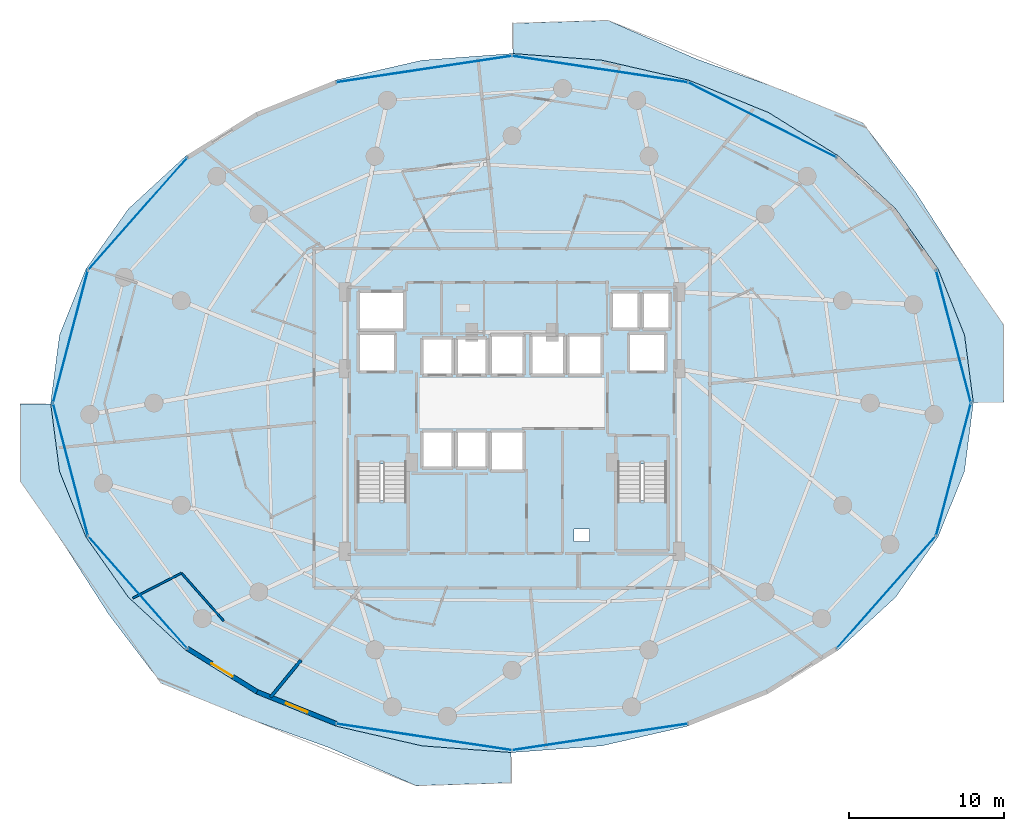
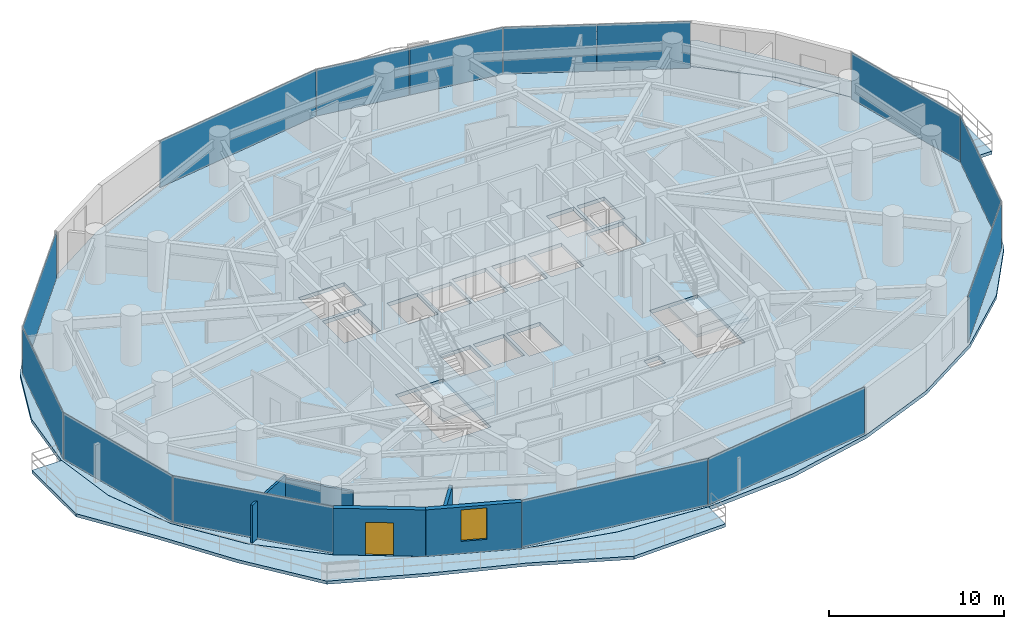
# One storey, part 22 of 30: 14 plates, 5 slabs, 5 walls, 1 door, 1 window, 2 openings, 6 elements without a shape of their own.
"""IFC4 building model written with IfcOpenShell, lengths in metres."""

from ifc_helpers import new_model, si_unit, direction, frame, frame_2d, origin, origin_2d, place, context, subcontext, project, spatial, polyline, rectangle, outline, extrude, material, layer, layer_set, type_object, element, fill, aggregate, save


model = new_model("IFC4")

# Units and contexts
model_context = context("Model", 3, precision=1e-05, world=origin(), true_north=direction((0.0, 1.0)))
body_context = subcontext(model_context, "Body", "Model", "MODEL_VIEW")
ifc_project = project(units=[si_unit("LENGTHUNIT", "METRE"), si_unit("AREAUNIT", "SQUARE_METRE"), si_unit("VOLUMEUNIT", "CUBIC_METRE"), si_unit("PLANEANGLEUNIT", "RADIAN"), si_unit("MASSUNIT", "GRAM", prefix="KILO")], contexts=[model_context])

# Site, building, storey
site_placement = place(None, origin())
site = spatial("IfcSite", under=ifc_project, at=site_placement, CompositionType="ELEMENT")
building_placement = place(site_placement, origin())
building = spatial("IfcBuilding", under=site, at=building_placement, Name="Vorneva Point Tower", CompositionType="ELEMENT")
storey_placement = place(building_placement, frame((0.0, 0.0, 55.5)))
storey = spatial("IfcBuildingStorey", under=building, at=storey_placement, Name="L14", CompositionType="ELEMENT", Elevation=55.5)

# Curtain wall, plates
ifc_material_1 = material(Name="Pale anodised aluminium", Category="aluminium")
curtain_wall_type = type_object("IfcCurtainWallType", Name="CW-HTL-SYS", PredefinedType="NOTDEFINED", material=ifc_material_1)
curtain_wall_1_placement = place(storey_placement, origin())
curtain_wall_1 = element("IfcCurtainWall", 1, at=curtain_wall_1_placement, inside=storey, type_object=curtain_wall_type, Name="L14 Unitised Curtain Wall CW-L14-R01", PredefinedType="NOTDEFINED")
ifc_material_2 = material(Name="Double low-e laminated glass IGU", Category="glass")
ifc_layer_1 = layer(ifc_material_2, 0.035888671875)
ifc_layer_set_1 = layer_set([ifc_layer_1], Name="Double low-e laminated glass IGU")
plate_type = type_object("IfcPlateType", Name="CW-PNL-VIS", PredefinedType="CURTAIN_PANEL", material=ifc_layer_set_1)
plate_1_placement = place(storey_placement, frame((62.097900390625, 13.821533203125, -0.02001953125), z_axis=(0.0, 0.0, 1.0), x_axis=(0.662070857019, 0.749441245386, 0.0)))
plate_1 = element("IfcPlate", 2, at=plate_1_placement, type_object=plate_type, Name="CW-L14-R01 Glazed Panel 01", PredefinedType="CURTAIN_PANEL", context=body_context, shape_type="SweptSolid", body=[
    extrude(rectangle(XDim=9.625, YDim=0.035888671875, at=origin_2d()), origin(), (0.0, 0.0, 1.0), 3.280029296875),
])
plate_2_placement = place(storey_placement, frame((66.42529296875, 21.723388671875, -0.02001953125), z_axis=(0.0, 0.0, 1.0), x_axis=(0.254348767449, 0.967112560407, 0.0)))
plate_2 = element("IfcPlate", 3, at=plate_2_placement, type_object=plate_type, Name="CW-L14-R01 Glazed Panel 02", PredefinedType="CURTAIN_PANEL", context=body_context, shape_type="SweptSolid", body=[
    extrude(rectangle(XDim=8.793701171875, YDim=0.035888671875, at=origin_2d()), origin(), (0.0, 0.0, 1.0), 3.280029296875),
])
plate_3_placement = place(storey_placement, frame((66.42529296875, 30.276611328125, -0.02001953125), z_axis=(0.0, 0.0, 1.0), x_axis=(-0.254348767449, 0.967112560407, 0.0)))
plate_3 = element("IfcPlate", 4, at=plate_3_placement, type_object=plate_type, Name="CW-L14-R01 Glazed Panel 03", PredefinedType="CURTAIN_PANEL", context=body_context, shape_type="SweptSolid", body=[
    extrude(rectangle(XDim=8.793701171875, YDim=0.035888671875, at=origin_2d()), origin(), (0.0, 0.0, 1.0), 3.280029296875),
])
aggregate(curtain_wall_1, [plate_1, plate_2, plate_3])

curtain_wall_2_placement = place(storey_placement, origin())
curtain_wall_2 = element("IfcCurtainWall", 5, at=curtain_wall_2_placement, inside=storey, type_object=curtain_wall_type, Name="L14 Unitised Curtain Wall CW-L14-R02", PredefinedType="NOTDEFINED")
plate_4_placement = place(storey_placement, frame((56.498291015625, 43.014892578125, -0.02001953125), z_axis=(0.0, 0.0, 1.0), x_axis=(-0.892499239729, 0.451048896554, 0.0)))
plate_4 = element("IfcPlate", 6, at=plate_4_placement, type_object=plate_type, Name="CW-L14-R02 Glazed Panel 01A", PredefinedType="CURTAIN_PANEL", context=body_context, shape_type="SweptSolid", body=[
    extrude(rectangle(XDim=5.32080078125, YDim=0.035888671875, at=origin_2d()), origin(), (0.0, 0.0, 1.0), 3.280029296875),
])
plate_5_placement = place(storey_placement, frame((51.705078125, 45.4375, -0.02001953125), z_axis=(0.0, 0.0, 1.0), x_axis=(-0.892499239729, 0.451048896554, 0.0)))
plate_5 = element("IfcPlate", 7, at=plate_5_placement, type_object=plate_type, Name="CW-L14-R02 Glazed Panel 01B", PredefinedType="CURTAIN_PANEL", context=body_context, shape_type="SweptSolid", body=[
    extrude(rectangle(XDim=5.32080078125, YDim=0.035888671875, at=origin_2d()), origin(), (0.0, 0.0, 1.0), 3.280029296875),
])
plate_6_placement = place(storey_placement, frame((46.481201171875, 47.073974609375, -0.02001953125), z_axis=(0.0, 0.0, 1.0), x_axis=(-0.988870924381, 0.148775989034, 0.0)))
plate_6 = element("IfcPlate", 8, at=plate_6_placement, type_object=plate_type, Name="CW-L14-R02 Glazed Panel 02A", PredefinedType="CURTAIN_PANEL", context=body_context, shape_type="SweptSolid", body=[
    extrude(rectangle(XDim=5.667724609375, YDim=0.035888671875, at=origin_2d()), origin(), (0.0, 0.0, 1.0), 3.280029296875),
])
plate_7_placement = place(storey_placement, frame((40.8271484375, 47.9248046875, -0.02001953125), z_axis=(0.0, 0.0, 1.0), x_axis=(-0.988870924381, 0.148775989034, 0.0)))
plate_7 = element("IfcPlate", 9, at=plate_7_placement, type_object=plate_type, Name="CW-L14-R02 Glazed Panel 02B", PredefinedType="CURTAIN_PANEL", context=body_context, shape_type="SweptSolid", body=[
    extrude(rectangle(XDim=5.667724609375, YDim=0.035888671875, at=origin_2d()), origin(), (0.0, 0.0, 1.0), 3.280029296875),
])
plate_8_placement = place(storey_placement, frame((32.345703125, 47.499267578125, -0.02001953125), z_axis=(0.0, 0.0, 1.0), x_axis=(-0.988870924381, -0.148775989034, 0.0)))
plate_8 = element("IfcPlate", 10, at=plate_8_placement, type_object=plate_type, Name="CW-L14-R02 Glazed Panel 03", PredefinedType="CURTAIN_PANEL", context=body_context, shape_type="SweptSolid", body=[
    extrude(rectangle(XDim=11.385498046875, YDim=0.035888671875, at=origin_2d()), origin(), (0.0, 0.0, 1.0), 3.280029296875),
])
aggregate(curtain_wall_2, [plate_4, plate_5, plate_6, plate_7, plate_8])

curtain_wall_3_placement = place(storey_placement, origin())
curtain_wall_3 = element("IfcCurtainWall", 11, at=curtain_wall_3_placement, inside=storey, type_object=curtain_wall_type, Name="L14 Unitised Curtain Wall CW-L14-R03", PredefinedType="NOTDEFINED")
plate_9_placement = place(storey_placement, frame((13.902099609375, 38.178466796875, -0.02001953125), z_axis=(0.0, 0.0, 1.0), x_axis=(-0.662070857019, -0.749441245386, 0.0)))
plate_9 = element("IfcPlate", 12, at=plate_9_placement, type_object=plate_type, Name="CW-L14-R03 Glazed Panel 01", PredefinedType="CURTAIN_PANEL", context=body_context, shape_type="SweptSolid", body=[
    extrude(rectangle(XDim=9.625, YDim=0.035888671875, at=origin_2d()), origin(), (0.0, 0.0, 1.0), 3.280029296875),
])
plate_10_placement = place(storey_placement, frame((9.57470703125, 30.276611328125, -0.02001953125), z_axis=(0.0, 0.0, 1.0), x_axis=(-0.254348767449, -0.967112560407, 0.0)))
plate_10 = element("IfcPlate", 13, at=plate_10_placement, type_object=plate_type, Name="CW-L14-R03 Glazed Panel 02", PredefinedType="CURTAIN_PANEL", context=body_context, shape_type="SweptSolid", body=[
    extrude(rectangle(XDim=8.793701171875, YDim=0.035888671875, at=origin_2d()), origin(), (0.0, 0.0, 1.0), 3.280029296875),
])
plate_11_placement = place(storey_placement, frame((9.57470703125, 21.723388671875, -0.02001953125), z_axis=(0.0, 0.0, 1.0), x_axis=(0.254348767449, -0.967112560407, 0.0)))
plate_11 = element("IfcPlate", 14, at=plate_11_placement, type_object=plate_type, Name="CW-L14-R03 Glazed Panel 03", PredefinedType="CURTAIN_PANEL", context=body_context, shape_type="SweptSolid", body=[
    extrude(rectangle(XDim=8.793701171875, YDim=0.035888671875, at=origin_2d()), origin(), (0.0, 0.0, 1.0), 3.280029296875),
])
plate_12_placement = place(storey_placement, frame((13.902099609375, 13.821533203125, -0.02001953125), z_axis=(0.0, 0.0, 1.0), x_axis=(0.662070857019, -0.749441245386, 0.0)))
plate_12 = element("IfcPlate", 15, at=plate_12_placement, type_object=plate_type, Name="CW-L14-R03 Glazed Panel 04", PredefinedType="CURTAIN_PANEL", context=body_context, shape_type="SweptSolid", body=[
    extrude(rectangle(XDim=9.625, YDim=0.035888671875, at=origin_2d()), origin(), (0.0, 0.0, 1.0), 3.280029296875),
])
aggregate(curtain_wall_3, [plate_9, plate_10, plate_11, plate_12])

curtain_wall_4_placement = place(storey_placement, origin())
curtain_wall_4 = element("IfcCurtainWall", 16, at=curtain_wall_4_placement, inside=storey, type_object=curtain_wall_type, Name="L14 Unitised Curtain Wall CW-L14-R04", PredefinedType="NOTDEFINED")
plate_13_placement = place(storey_placement, frame((32.345703125, 4.500732421875, -0.02001953125), z_axis=(0.0, 0.0, 1.0), x_axis=(0.988870924381, -0.148775989034, 0.0)))
plate_13 = element("IfcPlate", 17, at=plate_13_placement, type_object=plate_type, Name="CW-L14-R04 Glazed Panel 01", PredefinedType="CURTAIN_PANEL", context=body_context, shape_type="SweptSolid", body=[
    extrude(rectangle(XDim=11.385498046875, YDim=0.035888671875, at=origin_2d()), origin(), (0.0, 0.0, 1.0), 3.280029296875),
])
plate_14_placement = place(storey_placement, frame((43.654296875, 4.500732421875, -0.02001953125), z_axis=(0.0, 0.0, 1.0), x_axis=(0.988870924381, 0.148775989034, 0.0)))
plate_14 = element("IfcPlate", 18, at=plate_14_placement, type_object=plate_type, Name="CW-L14-R04 Glazed Panel 02", PredefinedType="CURTAIN_PANEL", context=body_context, shape_type="SweptSolid", body=[
    extrude(rectangle(XDim=11.385498046875, YDim=0.035888671875, at=origin_2d()), origin(), (0.0, 0.0, 1.0), 3.280029296875),
])
aggregate(curtain_wall_4, [plate_13, plate_14])

# Slabs
ifc_material_3 = material(Name="Concrete B50 (C40/50)", Category="concrete")
ifc_layer_2 = layer(ifc_material_3, 0.219970703125)
ifc_layer_set_2 = layer_set([ifc_layer_2], Name="Concrete B50 (C40/50)")
slab_type_1 = type_object("IfcSlabType", Name="SLB-BAL-220", PredefinedType="FLOOR", material=ifc_layer_set_2)
slab_1_placement = place(storey_placement, frame((0.0, 0.0, -0.219970703125)))
element("IfcSlab", 19, at=slab_1_placement, inside=storey, type_object=slab_type_1, Name="L14 Cantilevered Wave Balcony NE", PredefinedType="FLOOR", context=body_context, shape_type="SweptSolid", body=[
    extrude(outline(polyline([(38.050048828125, 50.451416015625), (38.050048828125, 48.500244140625), (43.79443359375, 48.07177734375), (43.794921875, 48.07177734375), (43.795166015625, 48.071533203125), (49.36669921875, 46.791259765625), (49.366943359375, 46.791015625), (49.3671875, 46.791015625), (54.501953125, 44.7119140625), (54.502197265625, 44.711669921875), (54.50244140625, 44.71142578125), (59.003173828125, 41.913330078125), (59.00341796875, 41.9130859375), (59.00390625, 41.912841796875), (62.697265625, 38.503173828125), (62.697509765625, 38.5029296875), (62.697998046875, 38.502685546875), (65.4423828125, 34.61279296875), (65.442626953125, 34.6123046875), (65.44287109375, 34.61181640625), (67.133056640625, 30.39111328125), (67.133056640625, 30.390625), (67.13330078125, 30.390380859375), (67.13330078125, 30.389892578125), (67.697509765625, 26.050048828125), (69.64990234375, 26.050048828125), (69.640869140625, 31.049072265625), (66.7158203125, 35.308349609375), (63.956298828125, 39.613037109375), (60.601318359375, 44.022216796875), (55.260009765625, 46.208984375), (49.80126953125, 48.175537109375), (44.18115234375, 50.635498046875), (38.050048828125, 50.451416015625)])), origin(), (0.0, 0.0, 1.0), 0.219970703125),
])
slab_2_placement = place(storey_placement, frame((0.0, 0.0, -0.219970703125)))
element("IfcSlab", 20, at=slab_2_placement, inside=storey, type_object=slab_type_1, Name="L14 Cantilevered Wave Balcony SW", PredefinedType="FLOOR", context=body_context, shape_type="SweptSolid", body=[
    extrude(outline(polyline([(37.949951171875, 1.548583984375), (37.949951171875, 3.499755859375), (32.20556640625, 3.92822265625), (32.205078125, 3.92822265625), (32.204833984375, 3.928466796875), (26.63330078125, 5.208740234375), (26.633056640625, 5.208984375), (26.6328125, 5.208984375), (21.498046875, 7.2880859375), (21.497802734375, 7.288330078125), (21.49755859375, 7.28857421875), (16.996826171875, 10.086669921875), (16.99658203125, 10.0869140625), (16.99609375, 10.087158203125), (13.302734375, 13.496826171875), (13.302490234375, 13.4970703125), (13.302001953125, 13.497314453125), (10.5576171875, 17.38720703125), (10.557373046875, 17.3876953125), (10.55712890625, 17.38818359375), (8.866943359375, 21.60888671875), (8.866943359375, 21.609375), (8.86669921875, 21.609619140625), (8.86669921875, 21.610107421875), (8.302490234375, 25.949951171875), (6.35009765625, 25.949951171875), (6.359130859375, 20.950927734375), (9.2841796875, 16.691650390625), (12.043701171875, 12.386962890625), (15.398681640625, 7.977783203125), (20.739990234375, 5.791015625), (26.19873046875, 3.824462890625), (31.81884765625, 1.364501953125), (37.949951171875, 1.548583984375)])), origin(), (0.0, 0.0, 1.0), 0.219970703125),
])

# Stair, slab
stair_type = type_object("IfcStairType", Name="ST-DOG-1500", PredefinedType="HALF_TURN_STAIR", material=ifc_material_3)
stair_1_placement = place(storey_placement, origin())
stair_1 = element("IfcStair", 21, at=stair_1_placement, inside=storey, type_object=stair_type, Name="L14 ST1", PredefinedType="HALF_TURN_STAIR")
ifc_layer_3 = layer(ifc_material_3, 0.199951171875)
ifc_layer_set_3 = layer_set([ifc_layer_3], Name="Concrete B50 (C40/50)")
slab_type_2 = type_object("IfcSlabType", Name="SLB-LND-200", PredefinedType="LANDING", material=ifc_layer_set_3)
slab_3_placement = place(storey_placement, frame((0.0, 0.0, 1.550048828125)))
slab_3 = element("IfcSlab", 22, at=slab_3_placement, type_object=slab_type_2, Name="ST1 landing 1", PredefinedType="LANDING", context=body_context, shape_type="SweptSolid", body=[
    extrude(outline(polyline([(27.929931640625, 16.47998046875), (31.320068359375, 16.47998046875), (31.320068359375, 19.72998046875), (27.929931640625, 19.72998046875), (27.929931640625, 16.47998046875)])), origin(), (0.0, 0.0, 1.0), 0.199951171875),
])
aggregate(stair_1, [slab_3])

stair_2_placement = place(storey_placement, origin())
stair_2 = element("IfcStair", 23, at=stair_2_placement, inside=storey, type_object=stair_type, Name="L14 ST2", PredefinedType="HALF_TURN_STAIR")
slab_4_placement = place(storey_placement, frame((0.0, 0.0, 1.550048828125)))
slab_4 = element("IfcSlab", 24, at=slab_4_placement, type_object=slab_type_2, Name="ST2 landing 1", PredefinedType="LANDING", context=body_context, shape_type="SweptSolid", body=[
    extrude(outline(polyline([(44.679931640625, 16.47998046875), (48.070068359375, 16.47998046875), (48.070068359375, 19.72998046875), (44.679931640625, 19.72998046875), (44.679931640625, 16.47998046875)])), origin(), (0.0, 0.0, 1.0), 0.199951171875),
])
aggregate(stair_2, [slab_4])

# Slab
ifc_layer_4 = layer(ifc_material_3, 0.260009765625)
ifc_layer_set_4 = layer_set([ifc_layer_4], Name="Concrete B50 (C40/50)")
slab_type_3 = type_object("IfcSlabType", Name="SLB-TYP-260", PredefinedType="FLOOR", material=ifc_layer_set_4)
slab_5_placement = place(storey_placement, frame((0.0, 0.0, -0.260009765625)))
element("IfcSlab", 25, at=slab_5_placement, inside=storey, type_object=slab_type_3, Name="L14 Structural Floor Plate", PredefinedType="FLOOR", context=body_context, shape_type="SweptSolid", body=[
    extrude(outline(polyline([(67.699951171875, 26.0), (67.12939453125, 30.389404296875), (65.439208984375, 34.6103515625), (62.694580078125, 38.500244140625), (59.001220703125, 41.909912109375), (54.50048828125, 44.7080078125), (49.36572265625, 46.787353515625), (43.794189453125, 48.067626953125), (38.0, 48.5), (32.205810546875, 48.067626953125), (26.63427734375, 46.787353515625), (21.49951171875, 44.7080078125), (16.998779296875, 41.909912109375), (13.305419921875, 38.500244140625), (10.560791015625, 34.6103515625), (8.87060546875, 30.389404296875), (8.300048828125, 26.0), (8.87060546875, 21.610595703125), (10.560791015625, 17.3896484375), (13.305419921875, 13.499755859375), (16.998779296875, 10.090087890625), (21.49951171875, 7.2919921875), (26.63427734375, 5.212646484375), (32.205810546875, 3.932373046875), (38.0, 3.5), (43.794189453125, 3.932373046875), (49.36572265625, 5.212646484375), (54.50048828125, 7.2919921875), (59.001220703125, 10.090087890625), (62.694580078125, 13.499755859375), (65.439208984375, 17.3896484375), (67.12939453125, 21.610595703125), (67.699951171875, 26.0)]), holes=[polyline([(32.199951171875, 27.800048828125), (34.199951171875, 27.800048828125), (34.199951171875, 30.199951171875), (32.199951171875, 30.199951171875), (32.199951171875, 27.800048828125)]), polyline([(34.39990234375, 27.800048828125), (36.39990234375, 27.800048828125), (36.39990234375, 30.199951171875), (34.39990234375, 30.199951171875), (34.39990234375, 27.800048828125)]), polyline([(36.60009765625, 27.800048828125), (38.800048828125, 27.800048828125), (38.800048828125, 30.39990234375), (36.60009765625, 30.39990234375), (36.60009765625, 27.800048828125)]), polyline([(32.199951171875, 21.800048828125), (34.199951171875, 21.800048828125), (34.199951171875, 24.199951171875), (32.199951171875, 24.199951171875), (32.199951171875, 21.800048828125)]), polyline([(34.39990234375, 21.800048828125), (36.39990234375, 21.800048828125), (36.39990234375, 24.199951171875), (34.39990234375, 24.199951171875), (34.39990234375, 21.800048828125)]), polyline([(36.60009765625, 21.60009765625), (38.800048828125, 21.60009765625), (38.800048828125, 24.199951171875), (36.60009765625, 24.199951171875), (36.60009765625, 21.60009765625)]), polyline([(39.199951171875, 27.800048828125), (41.39990234375, 27.800048828125), (41.39990234375, 30.39990234375), (39.199951171875, 30.39990234375), (39.199951171875, 27.800048828125)]), polyline([(41.60009765625, 27.800048828125), (43.800048828125, 27.800048828125), (43.800048828125, 30.39990234375), (41.60009765625, 30.39990234375), (41.60009765625, 27.800048828125)]), polyline([(44.39990234375, 30.739990234375), (46.199951171875, 30.739990234375), (46.199951171875, 33.159912109375), (44.39990234375, 33.159912109375), (44.39990234375, 30.739990234375)]), polyline([(46.39990234375, 30.739990234375), (48.199951171875, 30.739990234375), (48.199951171875, 33.159912109375), (46.39990234375, 33.159912109375), (46.39990234375, 30.739990234375)]), polyline([(28.10009765625, 28.0), (30.5, 28.0), (30.5, 30.5), (28.10009765625, 30.5), (28.10009765625, 28.0)]), polyline([(45.5, 28.0), (47.89990234375, 28.0), (47.89990234375, 30.5), (45.5, 30.5), (45.5, 28.0)]), polyline([(28.10009765625, 30.699951171875), (31.10009765625, 30.699951171875), (31.10009765625, 33.199951171875), (28.10009765625, 33.199951171875), (28.10009765625, 30.699951171875)]), polyline([(28.050048828125, 16.60009765625), (31.199951171875, 16.60009765625), (31.199951171875, 22.080078125), (28.050048828125, 22.080078125), (28.050048828125, 16.60009765625)]), polyline([(44.800048828125, 16.60009765625), (47.949951171875, 16.60009765625), (47.949951171875, 22.080078125), (44.800048828125, 22.080078125), (44.800048828125, 16.60009765625)]), polyline([(42.0, 17.10009765625), (43.0, 17.10009765625), (43.0, 17.89990234375), (42.0, 17.89990234375), (42.0, 17.10009765625)])]), origin(), (0.0, 0.0, 1.0), 0.260009765625),
])

# Wall, opening, door
ifc_material_4 = material(Name="Precast concrete B50 (C40/50)", Category="concrete")
ifc_layer_5 = layer(ifc_material_4, 0.300048828125)
ifc_layer_set_5 = layer_set([ifc_layer_5], Name="Precast concrete B50 (C40/50)")
wall_type_1 = type_object("IfcWallType", Name="WL-EXT-300", PredefinedType="STANDARD", material=ifc_layer_set_5)
wall_1_placement = place(storey_placement, frame((17.10498046875, 10.1962890625, 0.0), z_axis=(0.0, 0.0, 1.0), x_axis=(0.849633724826, -0.527373239404, 0.0)))
wall_1 = element("IfcWall", 26, at=wall_1_placement, inside=storey, type_object=wall_type_1, Name="L14 Pale-Metal Facade Spandrel Wall 11.1", PredefinedType="STANDARD", context=body_context, shape_type="SweptSolid", body=[
    extrude(rectangle(XDim=5.2705078125, YDim=0.300048828125, at=frame_2d((2.63525390625, 0.0))), origin(), (0.0, 0.0, 1.0), 3.239990234375),
])
opening_1_placement = place(wall_1_placement, frame((1.835205078125, 0.0, 0.0)))
opening_1 = element("IfcOpeningElement", 27, at=opening_1_placement, cuts=wall_1, Name="Opening BD-01", PredefinedType="OPENING", context=body_context, shape_type="SweptSolid", body=[
    extrude(rectangle(XDim=1.60009765625, YDim=2.300048828125, at=frame_2d((0.800048828125, 1.14990234375))), frame((0.0, 0.1650390625, 0.0), z_axis=(0.0, -1.0, 0.0), x_axis=(1.0, 0.0, 0.0)), (0.0, 0.0, 1.0), 0.329833984375),
])
door_type = type_object("IfcDoorType", Name="DR-BAL-1600", OperationType="SLIDING_TO_LEFT", PredefinedType="DOOR", material=ifc_material_1)
door_placement = place(opening_1_placement, origin())
door = element("IfcDoor", 28, at=door_placement, inside=storey, type_object=door_type, Name="L14 Balcony Terrace Access Door 11", OperationType="SLIDING_TO_LEFT", OverallHeight=2.300048828125, OverallWidth=1.60009765625, PredefinedType="DOOR", context=body_context, shape_type="SweptSolid", body=[
    extrude(rectangle(XDim=1.60009765625, YDim=2.300048828125, at=frame_2d((0.800048828125, 1.14990234375))), frame((0.0, 0.02490234375, 0.0), z_axis=(0.0, -1.0, 0.0), x_axis=(1.0, 0.0, 0.0)), (0.0, 0.0, 1.0), 0.050048828125),
])
fill(opening_1, door)

# Wall, opening, window
wall_2_placement = place(storey_placement, frame((21.5830078125, 7.416748046875, 0.0), z_axis=(0.0, 0.0, 1.0), x_axis=(0.927095325176, -0.374825636845, 0.0)))
wall_2 = element("IfcWall", 29, at=wall_2_placement, inside=storey, type_object=wall_type_1, Name="L14 Pale-Metal Facade Spandrel Wall 11.2", PredefinedType="STANDARD", context=body_context, shape_type="SweptSolid", body=[
    extrude(rectangle(XDim=5.51025390625, YDim=0.300048828125, at=frame_2d((2.755126953125, 0.0))), origin(), (0.0, 0.0, 1.0), 3.239990234375),
])
opening_2_placement = place(wall_2_placement, frame((2.00537109375, 0.0, 0.85009765625)))
opening_2 = element("IfcOpeningElement", 30, at=opening_2_placement, cuts=wall_2, Name="Opening W-02", PredefinedType="OPENING", context=body_context, shape_type="SweptSolid", body=[
    extrude(rectangle(XDim=1.5, YDim=2.18994140625, at=frame_2d((0.75, 1.094970703125))), frame((0.0, 0.1650390625, 0.0), z_axis=(0.0, -1.0, 0.0), x_axis=(1.0, 0.0, 0.0)), (0.0, 0.0, 1.0), 0.329833984375),
])
window_type = type_object("IfcWindowType", Name="WN-HTL-1500", PartitioningType="SINGLE_PANEL", PredefinedType="WINDOW", material=ifc_material_2)
window_placement = place(opening_2_placement, origin())
window = element("IfcWindow", 31, at=window_placement, inside=storey, type_object=window_type, Name="L14 Facade Window 11", OverallHeight=2.18994140625, OverallWidth=1.5, PartitioningType="SINGLE_PANEL", PredefinedType="WINDOW", context=body_context, shape_type="SweptSolid", body=[
    extrude(rectangle(XDim=1.5, YDim=2.18994140625, at=frame_2d((0.75, 1.094970703125))), frame((0.0, 0.030029296875, 0.0), z_axis=(0.0, -1.0, 0.0), x_axis=(1.0, 0.0, 0.0)), (0.0, 0.0, 1.0), 0.06005859375),
])
fill(opening_2, window)

# Walls
ifc_material_5 = material(Name="Fire-rated acoustic gypsum stud partition", Category="gypsum")
ifc_layer_6 = layer(ifc_material_5, 0.139892578125)
ifc_layer_set_6 = layer_set([ifc_layer_6], Name="Fire-rated acoustic gypsum stud partition")
wall_type_2 = type_object("IfcWallType", Name="WL-PART-140", PredefinedType="PARTITIONING", material=ifc_layer_set_6)
wall_3_placement = place(storey_placement, frame((13.590087890625, 13.44091796875, 0.0), z_axis=(0.0, 0.0, 1.0), x_axis=(0.889180616302, 0.457556369852, 0.0)))
element("IfcWall", 32, at=wall_3_placement, inside=storey, type_object=wall_type_2, Name="L14 Interior Partition 084", PredefinedType="PARTITIONING", context=body_context, shape_type="SweptSolid", body=[
    extrude(rectangle(XDim=3.52099609375, YDim=0.139892578125, at=frame_2d((1.760498046875, 0.0))), origin(), (0.0, 0.0, 1.0), 2.6240234375),
])
wall_4_placement = place(storey_placement, frame((16.720947265625, 15.052001953125, 0.0), z_axis=(0.0, 0.0, 1.0), x_axis=(0.662159063844, -0.749363312532, 0.0)))
element("IfcWall", 33, at=wall_4_placement, inside=storey, type_object=wall_type_2, Name="L14 Interior Partition 085", PredefinedType="PARTITIONING", context=body_context, shape_type="SweptSolid", body=[
    extrude(rectangle(XDim=4.115478515625, YDim=0.139892578125, at=frame_2d((2.0576171875, 0.0))), origin(), (0.0, 0.0, 1.0), 2.431884765625),
])
ifc_material_6 = material(Name="Autoclaved aerated concrete blockwork", Category="masonry")
ifc_layer_7 = layer(ifc_material_6, 0.199951171875)
ifc_layer_set_7 = layer_set([ifc_layer_7], Name="Autoclaved aerated concrete blockwork")
wall_type_3 = type_object("IfcWallType", Name="WL-PART-200", PredefinedType="PARTITIONING", material=ifc_layer_set_7)
wall_5_placement = place(storey_placement, frame((22.4599609375, 7.06494140625, 0.0), z_axis=(0.0, 0.0, 1.0), x_axis=(0.634432805544, 0.772978017313, 0.0)))
element("IfcWall", 34, at=wall_5_placement, inside=storey, type_object=wall_type_3, Name="L14 Interior Partition 089", PredefinedType="PARTITIONING", context=body_context, shape_type="SweptSolid", body=[
    extrude(rectangle(XDim=3.0908203125, YDim=0.199951171875, at=frame_2d((1.54541015625, 0.0))), origin(), (0.0, 0.0, 1.0), 2.6240234375),
])

save(model, "model.ifc")
